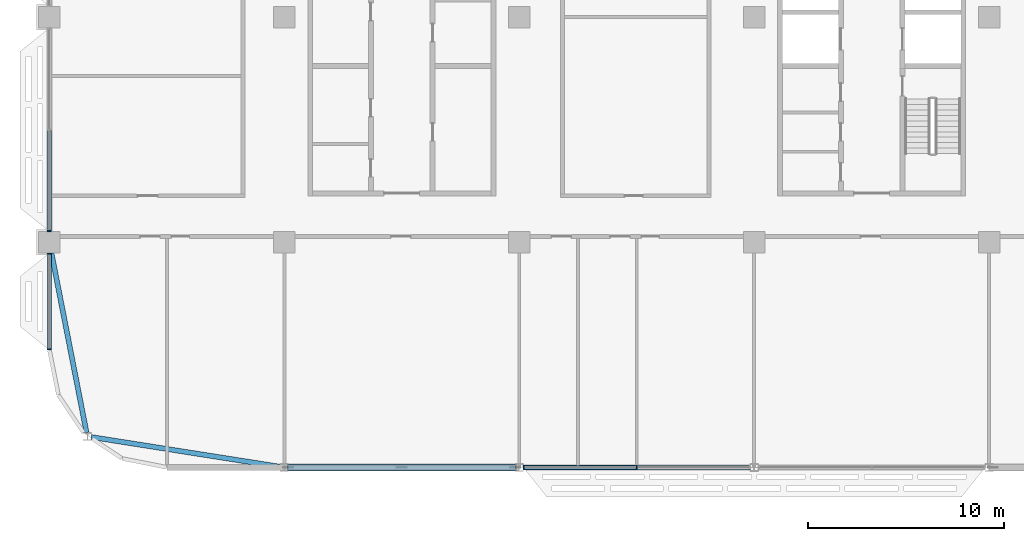
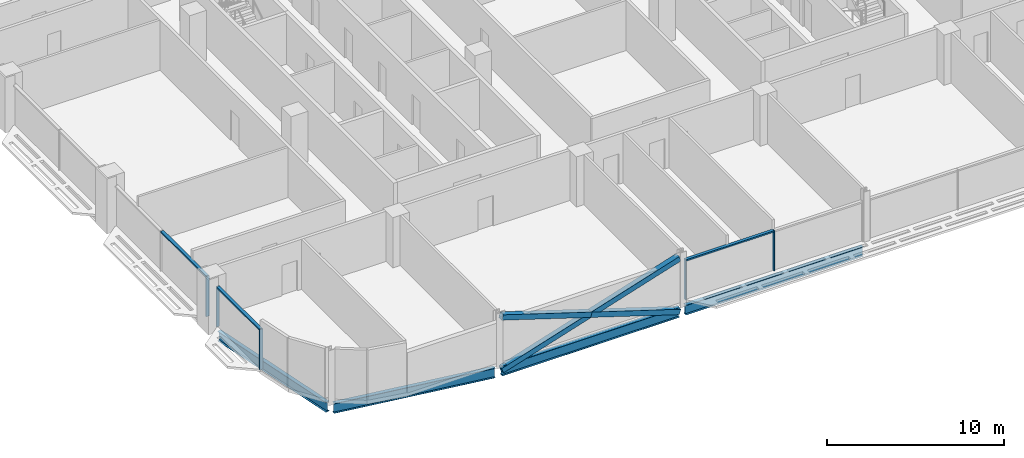
# One storey, part 4 of 30: 11 members, 4 beams, 3 elements without a shape of their own.
"""IFC4 building model written with IfcOpenShell, lengths in metres."""

from ifc_helpers import new_model, si_unit, direction, frame, origin, origin_2d, place, context, subcontext, project, spatial, rectangle, hollow_rectangle, i_section, extrude, material, material_profile, profile_set, type_object, element, aggregate, save


model = new_model("IFC4")

# Units and contexts
model_context = context("Model", 3, precision=1e-05, world=origin(), true_north=direction((0.0, 1.0)))
body_context = subcontext(model_context, "Body", "Model", "MODEL_VIEW")
ifc_project = project(units=[si_unit("LENGTHUNIT", "METRE"), si_unit("AREAUNIT", "SQUARE_METRE"), si_unit("VOLUMEUNIT", "CUBIC_METRE"), si_unit("PLANEANGLEUNIT", "RADIAN"), si_unit("MASSUNIT", "GRAM", prefix="KILO")], contexts=[model_context])

# Site, building, storey
site_placement = place(None, origin())
site = spatial("IfcSite", under=ifc_project, at=site_placement, CompositionType="ELEMENT")
building_placement = place(site_placement, origin())
building = spatial("IfcBuilding", under=site, at=building_placement, Name="Mahtab Terrace Research Tower", CompositionType="ELEMENT")
storey_placement = place(building_placement, frame((0.0, 0.0, 212.89990234375)))
storey = spatial("IfcBuildingStorey", under=building, at=storey_placement, Name="L51", CompositionType="ELEMENT", Elevation=212.89990234375)

# Members
ifc_material_1 = material(Name="Steel ASTM A500 Gr C", Category="steel")
ifc_material_profile_1 = material_profile(ifc_material_1, hollow_rectangle(XDim=0.355712890625, YDim=0.355712890625, WallThickness=0.015869140625, at=origin_2d()), Name="HSS14X14X5/8")
ifc_profile_set_1 = profile_set([ifc_material_profile_1], Name="Steel ASTM A500 Gr C")
member_type_1 = type_object("IfcMemberType", Name="HSS 14x14x5/8 brace XB141458", PredefinedType="BRACE", material=ifc_profile_set_1)
member_1_placement = place(storey_placement, frame((-29.79931640625, -23.0, -0.615478515625), z_axis=(0.953343380425, 0.0, 0.301888057067), x_axis=(0.0, 1.0, 0.0)))
element("IfcMember", 1, at=member_1_placement, inside=storey, type_object=member_type_1, Name="Exoskeleton brace L51 14 a", PredefinedType="BRACE", context=body_context, shape_type="SweptSolid", body=[
    extrude(hollow_rectangle(XDim=0.355712890625, YDim=0.355712890625, WallThickness=0.015869140625, at=origin_2d()), origin(), (0.0, 0.0, 1.0), 12.166259765625),
])
for number, where, z_axis, x_axis, name in (
    (2, (-18.20068359375, -23.0, -0.615478515625), (-0.953343380425, 0.0, 0.301888057067), (0.0, -1.0, 0.0), "Exoskeleton brace L51 14 b1"),
    (3, (-24.0, -23.0, 1.220947265625), (-0.953343380425, 0.0, 0.301888057067), (0.0, -1.0, 0.0), "Exoskeleton brace L51 14 b2"),
):
    element("IfcMember", number, at=place(storey_placement, frame(where, z_axis=z_axis, x_axis=x_axis)), inside=storey, type_object=member_type_1, Name=name, PredefinedType="BRACE", context=body_context, shape_type="SweptSolid", body=[
        extrude(hollow_rectangle(XDim=0.355712890625, YDim=0.355712890625, WallThickness=0.015869140625, at=origin_2d()), origin(), (0.0, 0.0, 1.0), 6.083251953125),
    ])

# Curtain wall, member
ifc_material_2 = material(Name="Laboratory ribbon curtain wall")
curtain_wall_type = type_object("IfcCurtainWallType", Name="Laboratory ribbon curtain wall", PredefinedType="NOTDEFINED", material=ifc_material_2)
curtain_wall_1_placement = place(storey_placement, origin())
curtain_wall_1 = element("IfcCurtainWall", 4, at=curtain_wall_1_placement, inside=storey, type_object=curtain_wall_type, Name="EN.L51.8.17", PredefinedType="NOTDEFINED")
ifc_material_3 = material(Name="Natural anodised aluminium", Category="aluminium")
ifc_material_profile_2 = material_profile(ifc_material_3, rectangle(XDim=0.199951171875, YDim=0.06494140625, at=origin_2d()), Name="MULLION 65x200")
ifc_profile_set_2 = profile_set([ifc_material_profile_2], Name="Natural anodised aluminium")
member_type_2 = type_object("IfcMemberType", Name="Laboratory ribbon curtain wall mullion", PredefinedType="MULLION", material=ifc_profile_set_2)
member_2_placement = place(storey_placement, frame((-42.0, -10.91748046875, 0.0), z_axis=(0.0, 0.0, 1.0), x_axis=(1.0, 0.0, 0.0)))
member_2 = element("IfcMember", 5, at=member_2_placement, type_object=member_type_2, Name="CWL-6 mullion 3", PredefinedType="MULLION", context=body_context, shape_type="SweptSolid", body=[
    extrude(rectangle(XDim=0.199951171875, YDim=0.06494140625, at=origin_2d()), origin(), (0.0, 0.0, 1.0), 2.781982421875),
])

# Curtain wall, members
curtain_wall_2_placement = place(storey_placement, origin())
curtain_wall_2 = element("IfcCurtainWall", 6, at=curtain_wall_2_placement, inside=storey, type_object=curtain_wall_type, Name="EN.L51.8.18", PredefinedType="NOTDEFINED")
member_3_placement = place(storey_placement, frame((-42.0, -12.08251953125, 0.0), z_axis=(0.0, 0.0, 1.0), x_axis=(1.0, 0.0, 0.0)))
member_3 = element("IfcMember", 7, at=member_3_placement, type_object=member_type_2, Name="CWL-6 mullion 1", PredefinedType="MULLION", context=body_context, shape_type="SweptSolid", body=[
    extrude(rectangle(XDim=0.199951171875, YDim=0.06494140625, at=origin_2d()), origin(), (0.0, 0.0, 1.0), 2.781982421875),
])
member_4_placement = place(storey_placement, frame((-42.0, -16.967529296875, 0.0), z_axis=(0.0, 0.0, 1.0), x_axis=(1.0, 0.0, 0.0)))
member_4 = element("IfcMember", 8, at=member_4_placement, type_object=member_type_2, Name="CWL-6 mullion 2", PredefinedType="MULLION", context=body_context, shape_type="SweptSolid", body=[
    extrude(rectangle(XDim=0.199951171875, YDim=0.06494140625, at=origin_2d()), origin(), (0.0, 0.0, 1.0), 2.781982421875),
])

curtain_wall_3_placement = place(storey_placement, origin())
curtain_wall_3 = element("IfcCurtainWall", 9, at=curtain_wall_3_placement, inside=storey, type_object=curtain_wall_type, Name="EN.L51.13.25", PredefinedType="NOTDEFINED")
member_5_placement = place(storey_placement, frame((-17.767578125, -23.0, 0.0), z_axis=(0.0, 0.0, 1.0), x_axis=(0.0, 1.0, 0.0)))
member_5 = element("IfcMember", 10, at=member_5_placement, type_object=member_type_2, Name="CWL-6 mullion 1", PredefinedType="MULLION", context=body_context, shape_type="SweptSolid", body=[
    extrude(rectangle(XDim=0.199951171875, YDim=0.06494140625, at=origin_2d()), origin(), (0.0, 0.0, 1.0), 2.781982421875),
])
member_6_placement = place(storey_placement, frame((-12.0, -23.0, 0.0), z_axis=(0.0, 0.0, 1.0), x_axis=(0.0, 1.0, 0.0)))
member_6 = element("IfcMember", 11, at=member_6_placement, type_object=member_type_2, Name="CWL-6 mullion 2", PredefinedType="MULLION", context=body_context, shape_type="SweptSolid", body=[
    extrude(rectangle(XDim=0.199951171875, YDim=0.06494140625, at=origin_2d()), origin(), (0.0, 0.0, 1.0), 2.781982421875),
])

# Member
ifc_material_profile_3 = material_profile(ifc_material_3, rectangle(XDim=0.199951171875, YDim=0.10009765625, at=origin_2d()), Name="TRANSOM 100x200")
ifc_profile_set_3 = profile_set([ifc_material_profile_3], Name="Natural anodised aluminium")
member_type_3 = type_object("IfcMemberType", Name="Laboratory ribbon curtain wall transom", PredefinedType="USERDEFINED", material=ifc_profile_set_3)
member_7_placement = place(storey_placement, frame((-42.0, -5.782470703125, 2.73193359375), z_axis=(0.0, -1.0, 0.0), x_axis=(1.0, 0.0, 0.0)))
member_7 = element("IfcMember", 12, at=member_7_placement, type_object=member_type_3, Name="CWL-6 transom 2", ObjectType="TRANSOM", PredefinedType="USERDEFINED", context=body_context, shape_type="SweptSolid", body=[
    extrude(rectangle(XDim=0.199951171875, YDim=0.10009765625, at=origin_2d()), origin(), (0.0, 0.0, 1.0), 5.1025390625),
])

aggregate(curtain_wall_1, [member_2, member_7])

member_8_placement = place(storey_placement, frame((-42.0, -12.114990234375, 2.73193359375), z_axis=(0.0, -1.0, 0.0), x_axis=(1.0, 0.0, 0.0)))
member_8 = element("IfcMember", 13, at=member_8_placement, type_object=member_type_3, Name="CWL-6 transom 1", ObjectType="TRANSOM", PredefinedType="USERDEFINED", context=body_context, shape_type="SweptSolid", body=[
    extrude(rectangle(XDim=0.199951171875, YDim=0.10009765625, at=origin_2d()), origin(), (0.0, 0.0, 1.0), 4.820068359375),
])

aggregate(curtain_wall_2, [member_3, member_4, member_8])

member_9_placement = place(storey_placement, frame((-17.735107421875, -23.0, 2.73193359375), z_axis=(1.0, 0.0, 0.0), x_axis=(0.0, 1.0, 0.0)))
member_9 = element("IfcMember", 14, at=member_9_placement, type_object=member_type_3, Name="CWL-6 transom 1", ObjectType="TRANSOM", PredefinedType="USERDEFINED", context=body_context, shape_type="SweptSolid", body=[
    extrude(rectangle(XDim=0.199951171875, YDim=0.10009765625, at=origin_2d()), origin(), (0.0, 0.0, 1.0), 5.70263671875),
])

aggregate(curtain_wall_3, [member_5, member_6, member_9])

# Beams
ifc_material_4 = material(Name="Steel ASTM A992 Gr 50", Category="steel")
ifc_material_profile_4 = material_profile(ifc_material_4, i_section(OverallWidth=0.25390625, OverallDepth=0.67822265625, WebThickness=0.01171875, FlangeThickness=0.016357421875, at=origin_2d()), Name="W27X84")
ifc_profile_set_4 = profile_set([ifc_material_profile_4], Name="Steel ASTM A992 Gr 50")
beam_type = type_object("IfcBeamType", Name="W27x84 beam BS2784", PredefinedType="BEAM", material=ifc_profile_set_4)
beam_1_placement = place(storey_placement, frame((-41.892578125, -12.050048828125, -0.678955078125), z_axis=(0.191811291145, -0.981431825747, 0.0), x_axis=(0.981431825747, 0.191811291145, 0.0)))
element("IfcBeam", 15, at=beam_1_placement, inside=storey, type_object=beam_type, Name="Spandrel beam L51 12", PredefinedType="BEAM", context=body_context, shape_type="SweptSolid", body=[
    extrude(i_section(OverallWidth=0.25390625, OverallDepth=0.67822265625, WebThickness=0.01171875, FlangeThickness=0.016357421875, at=origin_2d()), origin(), (0.0, 0.0, 1.0), 9.33984375),
])
beam_2_placement = place(storey_placement, frame((-39.861328125, -21.447509765625, -0.678955078125), z_axis=(0.987831689273, -0.155526697604, 0.0), x_axis=(0.155526697604, 0.987831689273, 0.0)))
element("IfcBeam", 16, at=beam_2_placement, inside=storey, type_object=beam_type, Name="Spandrel beam L51 13", PredefinedType="BEAM", context=body_context, shape_type="SweptSolid", body=[
    extrude(i_section(OverallWidth=0.25390625, OverallDepth=0.67822265625, WebThickness=0.01171875, FlangeThickness=0.016357421875, at=origin_2d()), origin(), (0.0, 0.0, 1.0), 9.779541015625),
])
for number, where, z_axis, x_axis, name in (
    (17, (-29.79931640625, -23.0, -0.678955078125), (1.0, 0.0, 0.0), (0.0, 1.0, 0.0), "Spandrel beam L51 14"),
    (18, (-17.79931640625, -23.0, -0.678955078125), (1.0, 0.0, 0.0), (0.0, 1.0, 0.0), "Spandrel beam L51 15"),
):
    element("IfcBeam", number, at=place(storey_placement, frame(where, z_axis=z_axis, x_axis=x_axis)), inside=storey, type_object=beam_type, Name=name, PredefinedType="BEAM", context=body_context, shape_type="SweptSolid", body=[
        extrude(i_section(OverallWidth=0.25390625, OverallDepth=0.67822265625, WebThickness=0.01171875, FlangeThickness=0.016357421875, at=origin_2d()), origin(), (0.0, 0.0, 1.0), 11.5986328125),
    ])

save(model, "model.ifc")
